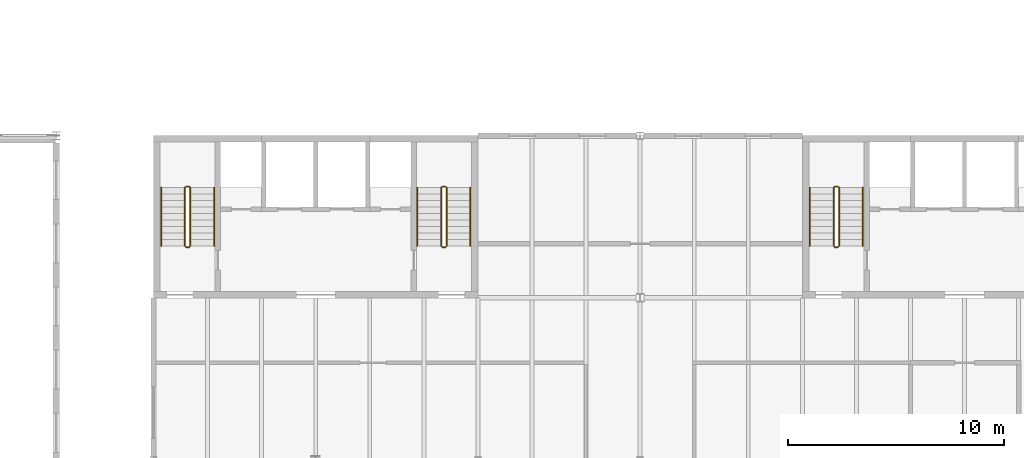
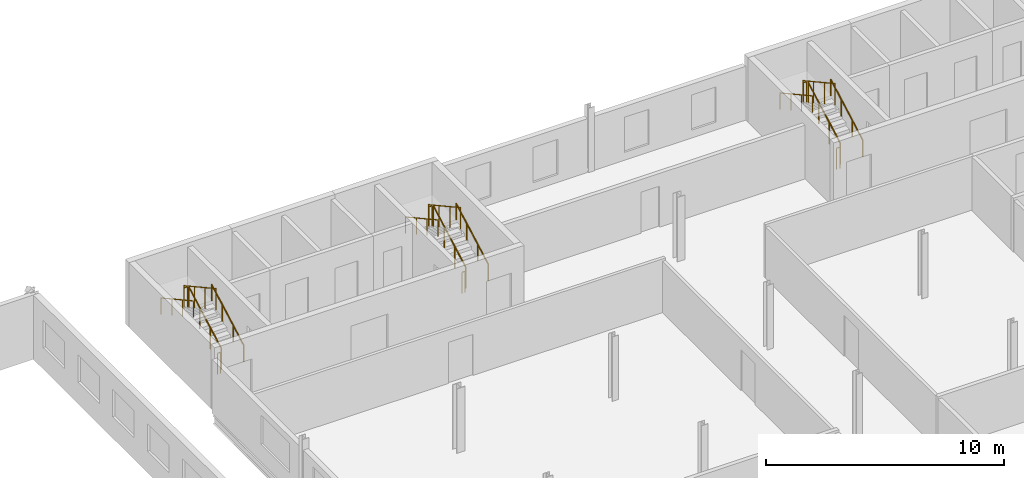
# One storey, part 180 of 199: 18 railings.
"""IFC4 building model written with IfcOpenShell, lengths in metres."""

from ifc_helpers import new_model, si_unit, direction, frame, origin, origin_2d, place, context, subcontext, project, spatial, circle, extrude, material, type_object, element, save


model = new_model("IFC4")

# Units and contexts
model_context = context("Model", 3, precision=1e-05, world=origin(), true_north=direction((0.0, 1.0)))
body_context = subcontext(model_context, "Body", "Model", "MODEL_VIEW")
ifc_project = project(units=[si_unit("LENGTHUNIT", "METRE"), si_unit("AREAUNIT", "SQUARE_METRE"), si_unit("VOLUMEUNIT", "CUBIC_METRE"), si_unit("PLANEANGLEUNIT", "RADIAN"), si_unit("MASSUNIT", "GRAM", prefix="KILO")], contexts=[model_context])

# Site, building, storey
site_placement = place(None, origin())
site = spatial("IfcSite", under=ifc_project, at=site_placement, CompositionType="ELEMENT")
building_placement = place(site_placement, origin())
building = spatial("IfcBuilding", under=site, at=building_placement, Name="Parallax Yard Mobility Hub", CompositionType="ELEMENT")
storey_placement = place(building_placement, frame((0.0, 0.0, 9.89990234375)))
storey = spatial("IfcBuildingStorey", under=building, at=storey_placement, Name="L03", CompositionType="ELEMENT", Elevation=9.89990234375)

# Railings
ifc_material = material(Name="Steel ASTM A36", Category="steel")
railing_type_1 = type_object("IfcRailingType", Name="Stair guard 1100", PredefinedType="GUARDRAIL", material=ifc_material)
railing_1_placement = place(storey_placement, frame((99.199951171875, 47.39990234375, 0.1650390625)))
element("IfcRailing", 1, at=railing_1_placement, inside=storey, type_object=railing_type_1, Name="L03 ST11 stair guard 1", PredefinedType="GUARDRAIL", context=body_context, shape_type="SweptSolid", body=[
    extrude(circle(Radius=0.02392578125, at=origin_2d()), frame((0.0, 0.0, 1.076171875), z_axis=(0.0, 0.876215908677, 0.481918749772), x_axis=(-1.0, 0.0, 0.0)), (0.0, 0.0, 1.0), 3.08154296875),
    extrude(circle(Radius=0.02099609375, at=origin_2d()), origin(), (0.0, 0.0, 1.0), 1.052001953125),
    extrude(circle(Radius=0.02099609375, at=origin_2d()), frame((0.0, 0.900146484375, 0.4951171875)), (0.0, 0.0, 1.0), 1.052001953125),
    extrude(circle(Radius=0.02099609375, at=origin_2d()), frame((0.0, 1.800048828125, 0.989990234375)), (0.0, 0.0, 1.0), 1.052001953125),
    extrude(circle(Radius=0.02099609375, at=origin_2d()), frame((0.0, 2.7001953125, 1.485107421875)), (0.0, 0.0, 1.0), 1.052001953125),
])
railing_2_placement = place(storey_placement, frame((99.14990234375, 50.14990234375, 1.650146484375)))
element("IfcRailing", 2, at=railing_2_placement, inside=storey, type_object=railing_type_1, Name="L03 ST11 stair guard 2", PredefinedType="GUARDRAIL", context=body_context, shape_type="SweptSolid", body=[
    extrude(circle(Radius=0.02392578125, at=origin_2d()), frame((0.0, 0.0, 1.076171875), z_axis=(-1.0, 0.0, 0.0), x_axis=(0.0, -1.0, 0.0)), (0.0, 0.0, 1.0), 0.14990234375),
    extrude(circle(Radius=0.02099609375, at=origin_2d()), origin(), (0.0, 0.0, 1.0), 1.052001953125),
    extrude(circle(Radius=0.02099609375, at=origin_2d()), frame((-0.14990234375, 0.0, 0.0)), (0.0, 0.0, 1.0), 1.052001953125),
])
railing_3_placement = place(storey_placement, frame((98.949951171875, 50.10009765625, 1.815185546875)))
element("IfcRailing", 3, at=railing_3_placement, inside=storey, type_object=railing_type_1, Name="L03 ST11 stair guard 3", PredefinedType="GUARDRAIL", context=body_context, shape_type="SweptSolid", body=[
    extrude(circle(Radius=0.02392578125, at=origin_2d()), frame((0.0, 0.0, 1.076171875), z_axis=(0.0, -0.876249361297, 0.481857921827), x_axis=(1.0, 0.0, 0.0)), (0.0, 0.0, 1.0), 3.08154296875),
    extrude(circle(Radius=0.02099609375, at=origin_2d()), origin(), (0.0, 0.0, 1.0), 1.052001953125),
    extrude(circle(Radius=0.02099609375, at=origin_2d()), frame((0.0, -0.900146484375, 0.494873046875)), (0.0, 0.0, 1.0), 1.052001953125),
    extrude(circle(Radius=0.02099609375, at=origin_2d()), frame((0.0, -1.800048828125, 0.989990234375)), (0.0, 0.0, 1.0), 1.052001953125),
    extrude(circle(Radius=0.02099609375, at=origin_2d()), frame((0.0, -2.7001953125, 1.48486328125)), (0.0, 0.0, 1.0), 1.052001953125),
])
railing_4_placement = place(storey_placement, frame((99.14990234375, 47.35009765625, 0.0)))
element("IfcRailing", 4, at=railing_4_placement, inside=storey, type_object=railing_type_1, Name="L03 ST11 stair guard 4", PredefinedType="GUARDRAIL", context=body_context, shape_type="SweptSolid", body=[
    extrude(circle(Radius=0.02392578125, at=origin_2d()), frame((0.0, 0.0, 1.076171875), z_axis=(-1.0, 0.0, 0.0), x_axis=(0.0, -1.0, 0.0)), (0.0, 0.0, 1.0), 0.14990234375),
    extrude(circle(Radius=0.02099609375, at=origin_2d()), origin(), (0.0, 0.0, 1.0), 1.052001953125),
    extrude(circle(Radius=0.02099609375, at=origin_2d()), frame((-0.14990234375, 0.0, 0.0)), (0.0, 0.0, 1.0), 1.052001953125),
])
railing_5_placement = place(storey_placement, frame((111.050048828125, 47.39990234375, 0.1650390625)))
element("IfcRailing", 5, at=railing_5_placement, inside=storey, type_object=railing_type_1, Name="L03 ST12 stair guard 1", PredefinedType="GUARDRAIL", context=body_context, shape_type="SweptSolid", body=[
    extrude(circle(Radius=0.02392578125, at=origin_2d()), frame((0.0, 0.0, 1.076171875), z_axis=(0.0, 0.876215908677, 0.481918749772), x_axis=(-1.0, 0.0, 0.0)), (0.0, 0.0, 1.0), 3.08154296875),
    extrude(circle(Radius=0.02099609375, at=origin_2d()), origin(), (0.0, 0.0, 1.0), 1.052001953125),
    extrude(circle(Radius=0.02099609375, at=origin_2d()), frame((0.0, 0.900146484375, 0.4951171875)), (0.0, 0.0, 1.0), 1.052001953125),
    extrude(circle(Radius=0.02099609375, at=origin_2d()), frame((0.0, 1.800048828125, 0.989990234375)), (0.0, 0.0, 1.0), 1.052001953125),
    extrude(circle(Radius=0.02099609375, at=origin_2d()), frame((0.0, 2.7001953125, 1.485107421875)), (0.0, 0.0, 1.0), 1.052001953125),
])
railing_6_placement = place(storey_placement, frame((111.0, 50.14990234375, 1.650146484375)))
element("IfcRailing", 6, at=railing_6_placement, inside=storey, type_object=railing_type_1, Name="L03 ST12 stair guard 2", PredefinedType="GUARDRAIL", context=body_context, shape_type="SweptSolid", body=[
    extrude(circle(Radius=0.02392578125, at=origin_2d()), frame((0.0, 0.0, 1.076171875), z_axis=(-1.0, 0.0, 0.0), x_axis=(0.0, -1.0, 0.0)), (0.0, 0.0, 1.0), 0.14990234375),
    extrude(circle(Radius=0.02099609375, at=origin_2d()), origin(), (0.0, 0.0, 1.0), 1.052001953125),
    extrude(circle(Radius=0.02099609375, at=origin_2d()), frame((-0.14990234375, 0.0, 0.0)), (0.0, 0.0, 1.0), 1.052001953125),
])
railing_7_placement = place(storey_placement, frame((110.800048828125, 50.10009765625, 1.815185546875)))
element("IfcRailing", 7, at=railing_7_placement, inside=storey, type_object=railing_type_1, Name="L03 ST12 stair guard 3", PredefinedType="GUARDRAIL", context=body_context, shape_type="SweptSolid", body=[
    extrude(circle(Radius=0.02392578125, at=origin_2d()), frame((0.0, 0.0, 1.076171875), z_axis=(0.0, -0.876249361297, 0.481857921827), x_axis=(1.0, 0.0, 0.0)), (0.0, 0.0, 1.0), 3.08154296875),
    extrude(circle(Radius=0.02099609375, at=origin_2d()), origin(), (0.0, 0.0, 1.0), 1.052001953125),
    extrude(circle(Radius=0.02099609375, at=origin_2d()), frame((0.0, -0.900146484375, 0.494873046875)), (0.0, 0.0, 1.0), 1.052001953125),
    extrude(circle(Radius=0.02099609375, at=origin_2d()), frame((0.0, -1.800048828125, 0.989990234375)), (0.0, 0.0, 1.0), 1.052001953125),
    extrude(circle(Radius=0.02099609375, at=origin_2d()), frame((0.0, -2.7001953125, 1.48486328125)), (0.0, 0.0, 1.0), 1.052001953125),
])
railing_8_placement = place(storey_placement, frame((111.0, 47.35009765625, 0.0)))
element("IfcRailing", 8, at=railing_8_placement, inside=storey, type_object=railing_type_1, Name="L03 ST12 stair guard 4", PredefinedType="GUARDRAIL", context=body_context, shape_type="SweptSolid", body=[
    extrude(circle(Radius=0.02392578125, at=origin_2d()), frame((0.0, 0.0, 1.076171875), z_axis=(-1.0, 0.0, 0.0), x_axis=(0.0, -1.0, 0.0)), (0.0, 0.0, 1.0), 0.14990234375),
    extrude(circle(Radius=0.02099609375, at=origin_2d()), origin(), (0.0, 0.0, 1.0), 1.052001953125),
    extrude(circle(Radius=0.02099609375, at=origin_2d()), frame((-0.14990234375, 0.0, 0.0)), (0.0, 0.0, 1.0), 1.052001953125),
])
railing_9_placement = place(storey_placement, frame((129.199951171875, 47.39990234375, 0.1650390625)))
element("IfcRailing", 9, at=railing_9_placement, inside=storey, type_object=railing_type_1, Name="L03 ST13 stair guard 1", PredefinedType="GUARDRAIL", context=body_context, shape_type="SweptSolid", body=[
    extrude(circle(Radius=0.02392578125, at=origin_2d()), frame((0.0, 0.0, 1.076171875), z_axis=(0.0, 0.876215908677, 0.481918749772), x_axis=(-1.0, 0.0, 0.0)), (0.0, 0.0, 1.0), 3.08154296875),
    extrude(circle(Radius=0.02099609375, at=origin_2d()), origin(), (0.0, 0.0, 1.0), 1.052001953125),
    extrude(circle(Radius=0.02099609375, at=origin_2d()), frame((0.0, 0.900146484375, 0.4951171875)), (0.0, 0.0, 1.0), 1.052001953125),
    extrude(circle(Radius=0.02099609375, at=origin_2d()), frame((0.0, 1.800048828125, 0.989990234375)), (0.0, 0.0, 1.0), 1.052001953125),
    extrude(circle(Radius=0.02099609375, at=origin_2d()), frame((0.0, 2.7001953125, 1.485107421875)), (0.0, 0.0, 1.0), 1.052001953125),
])
railing_10_placement = place(storey_placement, frame((129.14990234375, 50.14990234375, 1.650146484375)))
element("IfcRailing", 10, at=railing_10_placement, inside=storey, type_object=railing_type_1, Name="L03 ST13 stair guard 2", PredefinedType="GUARDRAIL", context=body_context, shape_type="SweptSolid", body=[
    extrude(circle(Radius=0.02392578125, at=origin_2d()), frame((0.0, 0.0, 1.076171875), z_axis=(-1.0, 0.0, 0.0), x_axis=(0.0, -1.0, 0.0)), (0.0, 0.0, 1.0), 0.14990234375),
    extrude(circle(Radius=0.02099609375, at=origin_2d()), origin(), (0.0, 0.0, 1.0), 1.052001953125),
    extrude(circle(Radius=0.02099609375, at=origin_2d()), frame((-0.14990234375, 0.0, 0.0)), (0.0, 0.0, 1.0), 1.052001953125),
])
railing_11_placement = place(storey_placement, frame((128.949951171875, 50.10009765625, 1.815185546875)))
element("IfcRailing", 11, at=railing_11_placement, inside=storey, type_object=railing_type_1, Name="L03 ST13 stair guard 3", PredefinedType="GUARDRAIL", context=body_context, shape_type="SweptSolid", body=[
    extrude(circle(Radius=0.02392578125, at=origin_2d()), frame((0.0, 0.0, 1.076171875), z_axis=(0.0, -0.876249361297, 0.481857921827), x_axis=(1.0, 0.0, 0.0)), (0.0, 0.0, 1.0), 3.08154296875),
    extrude(circle(Radius=0.02099609375, at=origin_2d()), origin(), (0.0, 0.0, 1.0), 1.052001953125),
    extrude(circle(Radius=0.02099609375, at=origin_2d()), frame((0.0, -0.900146484375, 0.494873046875)), (0.0, 0.0, 1.0), 1.052001953125),
    extrude(circle(Radius=0.02099609375, at=origin_2d()), frame((0.0, -1.800048828125, 0.989990234375)), (0.0, 0.0, 1.0), 1.052001953125),
    extrude(circle(Radius=0.02099609375, at=origin_2d()), frame((0.0, -2.7001953125, 1.48486328125)), (0.0, 0.0, 1.0), 1.052001953125),
])
railing_12_placement = place(storey_placement, frame((129.14990234375, 47.35009765625, 0.0)))
element("IfcRailing", 12, at=railing_12_placement, inside=storey, type_object=railing_type_1, Name="L03 ST13 stair guard 4", PredefinedType="GUARDRAIL", context=body_context, shape_type="SweptSolid", body=[
    extrude(circle(Radius=0.02392578125, at=origin_2d()), frame((0.0, 0.0, 1.076171875), z_axis=(-1.0, 0.0, 0.0), x_axis=(0.0, -1.0, 0.0)), (0.0, 0.0, 1.0), 0.14990234375),
    extrude(circle(Radius=0.02099609375, at=origin_2d()), origin(), (0.0, 0.0, 1.0), 1.052001953125),
    extrude(circle(Radius=0.02099609375, at=origin_2d()), frame((-0.14990234375, 0.0, 0.0)), (0.0, 0.0, 1.0), 1.052001953125),
])
railing_type_2 = type_object("IfcRailingType", Name="Stair handrail", PredefinedType="HANDRAIL", material=ifc_material)
railing_13_placement = place(storey_placement, frame((100.300048828125, 47.39990234375, 0.1650390625)))
element("IfcRailing", 13, at=railing_13_placement, inside=storey, type_object=railing_type_2, Name="L03 ST11 stair handrail 1", PredefinedType="HANDRAIL", context=body_context, shape_type="SweptSolid", body=[
    extrude(circle(Radius=0.02392578125, at=origin_2d()), frame((0.0, 0.0, 0.8310546875), z_axis=(0.0, 0.876215908677, 0.481918749772), x_axis=(-1.0, 0.0, 0.0)), (0.0, 0.0, 1.0), 3.08154296875),
    extrude(circle(Radius=0.02099609375, at=origin_2d()), origin(), (0.0, 0.0, 1.0), 0.806884765625),
    extrude(circle(Radius=0.02099609375, at=origin_2d()), frame((0.0, 0.900146484375, 0.4951171875)), (0.0, 0.0, 1.0), 0.806884765625),
    extrude(circle(Radius=0.02099609375, at=origin_2d()), frame((0.0, 1.800048828125, 0.989990234375)), (0.0, 0.0, 1.0), 0.806884765625),
    extrude(circle(Radius=0.02099609375, at=origin_2d()), frame((0.0, 2.7001953125, 1.485107421875)), (0.0, 0.0, 1.0), 0.806884765625),
])
railing_14_placement = place(storey_placement, frame((97.85009765625, 50.10009765625, 1.815185546875)))
element("IfcRailing", 14, at=railing_14_placement, inside=storey, type_object=railing_type_2, Name="L03 ST11 stair handrail 2", PredefinedType="HANDRAIL", context=body_context, shape_type="SweptSolid", body=[
    extrude(circle(Radius=0.02392578125, at=origin_2d()), frame((0.0, 0.0, 0.8310546875), z_axis=(0.0, -0.876249361297, 0.481857921827), x_axis=(1.0, 0.0, 0.0)), (0.0, 0.0, 1.0), 3.08154296875),
    extrude(circle(Radius=0.02099609375, at=origin_2d()), origin(), (0.0, 0.0, 1.0), 0.806884765625),
    extrude(circle(Radius=0.02099609375, at=origin_2d()), frame((0.0, -0.900146484375, 0.494873046875)), (0.0, 0.0, 1.0), 0.806884765625),
    extrude(circle(Radius=0.02099609375, at=origin_2d()), frame((0.0, -1.800048828125, 0.989990234375)), (0.0, 0.0, 1.0), 0.806884765625),
    extrude(circle(Radius=0.02099609375, at=origin_2d()), frame((0.0, -2.7001953125, 1.48486328125)), (0.0, 0.0, 1.0), 0.806884765625),
])
railing_15_placement = place(storey_placement, frame((112.14990234375, 47.39990234375, 0.1650390625)))
element("IfcRailing", 15, at=railing_15_placement, inside=storey, type_object=railing_type_2, Name="L03 ST12 stair handrail 1", PredefinedType="HANDRAIL", context=body_context, shape_type="SweptSolid", body=[
    extrude(circle(Radius=0.02392578125, at=origin_2d()), frame((0.0, 0.0, 0.8310546875), z_axis=(0.0, 0.876215908677, 0.481918749772), x_axis=(-1.0, 0.0, 0.0)), (0.0, 0.0, 1.0), 3.08154296875),
    extrude(circle(Radius=0.02099609375, at=origin_2d()), origin(), (0.0, 0.0, 1.0), 0.806884765625),
    extrude(circle(Radius=0.02099609375, at=origin_2d()), frame((0.0, 0.900146484375, 0.4951171875)), (0.0, 0.0, 1.0), 0.806884765625),
    extrude(circle(Radius=0.02099609375, at=origin_2d()), frame((0.0, 1.800048828125, 0.989990234375)), (0.0, 0.0, 1.0), 0.806884765625),
    extrude(circle(Radius=0.02099609375, at=origin_2d()), frame((0.0, 2.7001953125, 1.485107421875)), (0.0, 0.0, 1.0), 0.806884765625),
])
railing_16_placement = place(storey_placement, frame((109.699951171875, 50.10009765625, 1.815185546875)))
element("IfcRailing", 16, at=railing_16_placement, inside=storey, type_object=railing_type_2, Name="L03 ST12 stair handrail 2", PredefinedType="HANDRAIL", context=body_context, shape_type="SweptSolid", body=[
    extrude(circle(Radius=0.02392578125, at=origin_2d()), frame((0.0, 0.0, 0.8310546875), z_axis=(0.0, -0.876249361297, 0.481857921827), x_axis=(1.0, 0.0, 0.0)), (0.0, 0.0, 1.0), 3.08154296875),
    extrude(circle(Radius=0.02099609375, at=origin_2d()), origin(), (0.0, 0.0, 1.0), 0.806884765625),
    extrude(circle(Radius=0.02099609375, at=origin_2d()), frame((0.0, -0.900146484375, 0.494873046875)), (0.0, 0.0, 1.0), 0.806884765625),
    extrude(circle(Radius=0.02099609375, at=origin_2d()), frame((0.0, -1.800048828125, 0.989990234375)), (0.0, 0.0, 1.0), 0.806884765625),
    extrude(circle(Radius=0.02099609375, at=origin_2d()), frame((0.0, -2.7001953125, 1.48486328125)), (0.0, 0.0, 1.0), 0.806884765625),
])
railing_17_placement = place(storey_placement, frame((130.300048828125, 47.39990234375, 0.1650390625)))
element("IfcRailing", 17, at=railing_17_placement, inside=storey, type_object=railing_type_2, Name="L03 ST13 stair handrail 1", PredefinedType="HANDRAIL", context=body_context, shape_type="SweptSolid", body=[
    extrude(circle(Radius=0.02392578125, at=origin_2d()), frame((0.0, 0.0, 0.8310546875), z_axis=(0.0, 0.876215908677, 0.481918749772), x_axis=(-1.0, 0.0, 0.0)), (0.0, 0.0, 1.0), 3.08154296875),
    extrude(circle(Radius=0.02099609375, at=origin_2d()), origin(), (0.0, 0.0, 1.0), 0.806884765625),
    extrude(circle(Radius=0.02099609375, at=origin_2d()), frame((0.0, 0.900146484375, 0.4951171875)), (0.0, 0.0, 1.0), 0.806884765625),
    extrude(circle(Radius=0.02099609375, at=origin_2d()), frame((0.0, 1.800048828125, 0.989990234375)), (0.0, 0.0, 1.0), 0.806884765625),
    extrude(circle(Radius=0.02099609375, at=origin_2d()), frame((0.0, 2.7001953125, 1.485107421875)), (0.0, 0.0, 1.0), 0.806884765625),
])
railing_18_placement = place(storey_placement, frame((127.85009765625, 50.10009765625, 1.815185546875)))
element("IfcRailing", 18, at=railing_18_placement, inside=storey, type_object=railing_type_2, Name="L03 ST13 stair handrail 2", PredefinedType="HANDRAIL", context=body_context, shape_type="SweptSolid", body=[
    extrude(circle(Radius=0.02392578125, at=origin_2d()), frame((0.0, 0.0, 0.8310546875), z_axis=(0.0, -0.876249361297, 0.481857921827), x_axis=(1.0, 0.0, 0.0)), (0.0, 0.0, 1.0), 3.08154296875),
    extrude(circle(Radius=0.02099609375, at=origin_2d()), origin(), (0.0, 0.0, 1.0), 0.806884765625),
    extrude(circle(Radius=0.02099609375, at=origin_2d()), frame((0.0, -0.900146484375, 0.494873046875)), (0.0, 0.0, 1.0), 0.806884765625),
    extrude(circle(Radius=0.02099609375, at=origin_2d()), frame((0.0, -1.800048828125, 0.989990234375)), (0.0, 0.0, 1.0), 0.806884765625),
    extrude(circle(Radius=0.02099609375, at=origin_2d()), frame((0.0, -2.7001953125, 1.48486328125)), (0.0, 0.0, 1.0), 0.806884765625),
])

save(model, "model.ifc")
